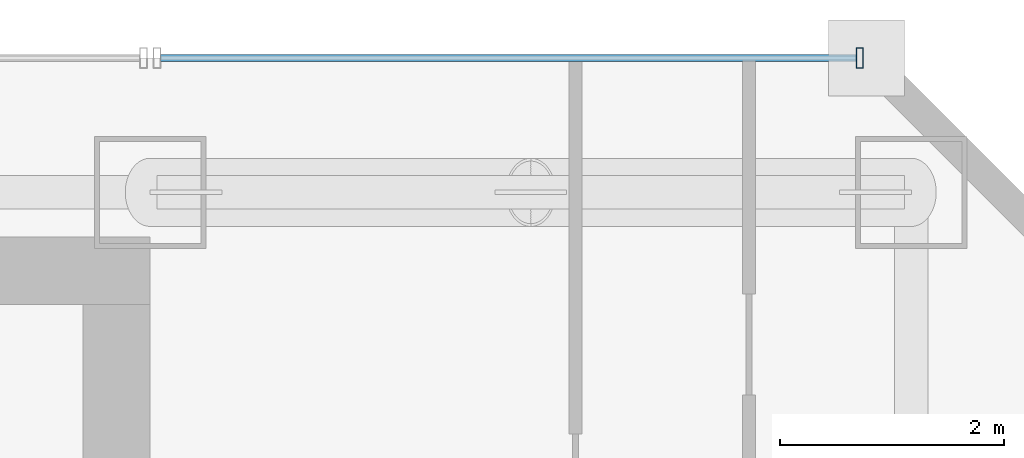
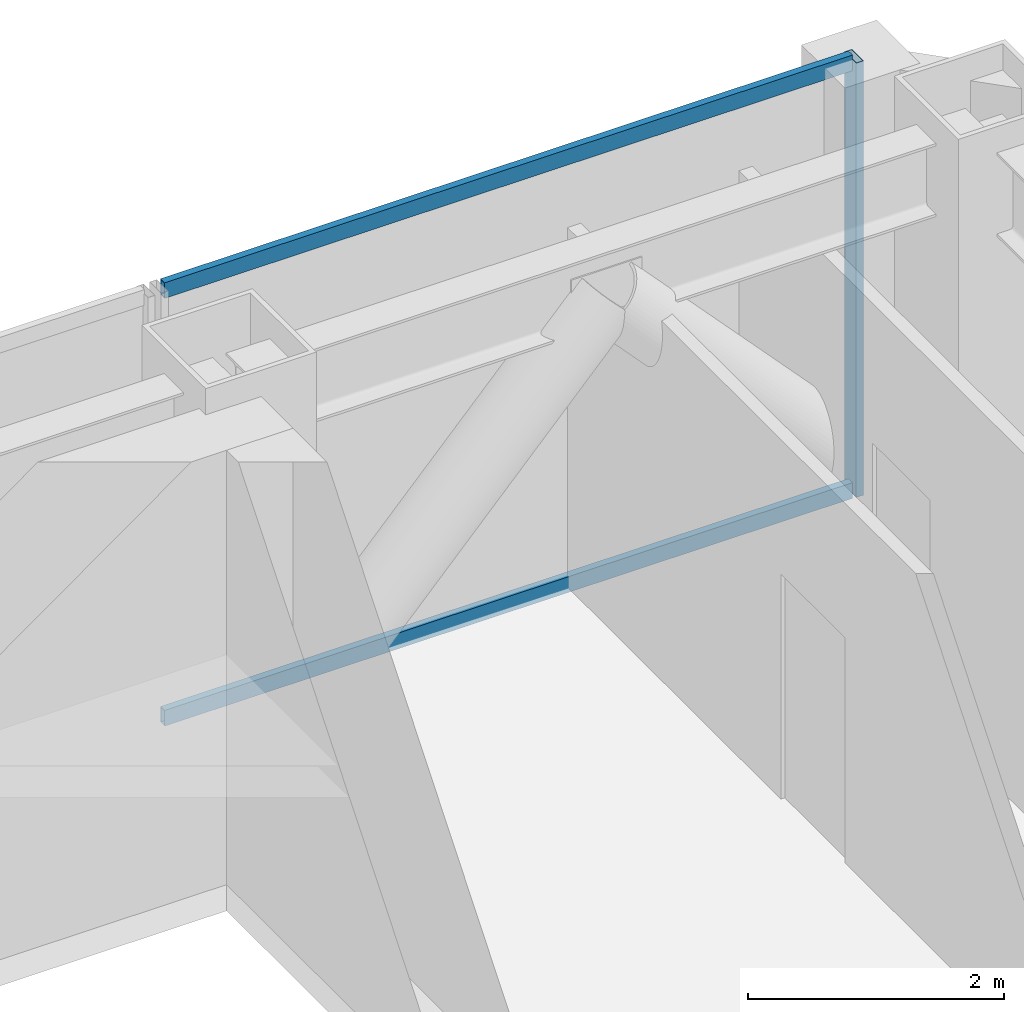
# One storey, part 29 of 37: 3 members, 1 element without a shape of its own.
"""IFC4 building model written with IfcOpenShell, lengths in metres."""

from ifc_helpers import new_model, si_unit, direction, frame, origin, origin_2d, place, context, subcontext, project, spatial, hollow_rectangle, extrude, material, material_profile, profile_set, type_object, element, aggregate, save


model = new_model("IFC4")

# Units and contexts
model_context = context("Model", 3, precision=1e-05, world=origin(), true_north=direction((0.0, 1.0)))
body_context = subcontext(model_context, "Body", "Model", "MODEL_VIEW")
ifc_project = project(units=[si_unit("LENGTHUNIT", "METRE"), si_unit("AREAUNIT", "SQUARE_METRE"), si_unit("VOLUMEUNIT", "CUBIC_METRE"), si_unit("PLANEANGLEUNIT", "RADIAN"), si_unit("MASSUNIT", "GRAM", prefix="KILO")], contexts=[model_context])

# Site, building, storey
site_placement = place(None, origin())
site = spatial("IfcSite", under=ifc_project, at=site_placement, CompositionType="ELEMENT")
building_placement = place(site_placement, origin())
building = spatial("IfcBuilding", under=site, at=building_placement, Name="Saevonmaru Cultural Tower", CompositionType="ELEMENT")
storey_placement = place(building_placement, frame((0.0, 0.0, 106.0)))
storey = spatial("IfcBuildingStorey", under=building, at=storey_placement, Name="L22", CompositionType="ELEMENT", Elevation=106.0)

# Curtain wall, members
ifc_material = material(Name="Satin Bronze Anodised Aluminium", Category="aluminium")
curtain_wall_type = type_object("IfcCurtainWallType", Name="CW-TYP-A", PredefinedType="NOTDEFINED", material=ifc_material)
curtain_wall_placement = place(storey_placement, origin())
curtain_wall = element("IfcCurtainWall", 1, at=curtain_wall_placement, inside=storey, type_object=curtain_wall_type, Name="L22 East Braced Bay Spandrel Curtain Wall E10A", PredefinedType="NOTDEFINED")
ifc_material_profile_1 = material_profile(ifc_material, hollow_rectangle(XDim=0.06494140625, YDim=0.179931640625, WallThickness=0.00390625, at=origin_2d()), Name="ALU-MULL-180x65x4")
ifc_profile_set_1 = profile_set([ifc_material_profile_1], Name="Satin Bronze Anodised Aluminium")
member_type_1 = type_object("IfcMemberType", Name="ML-CW-180x65", PredefinedType="MULLION", material=ifc_profile_set_1)
member_1_placement = place(storey_placement, frame((52.739990234375, 56.0, 0.0), z_axis=(0.0, 0.0, 1.0), x_axis=(-1.0, 0.0, 0.0)))
member_1 = element("IfcMember", 2, at=member_1_placement, type_object=member_type_1, Name="CW-TW-L22-E10A mullion 1", PredefinedType="MULLION", context=body_context, shape_type="SweptSolid", body=[
    extrude(hollow_rectangle(XDim=0.06494140625, YDim=0.179931640625, WallThickness=0.00390625, at=origin_2d()), origin(), (0.0, 0.0, 1.0), 4.14990234375),
])
ifc_material_profile_2 = material_profile(ifc_material, hollow_rectangle(XDim=0.06494140625, YDim=0.14990234375, WallThickness=0.00390625, at=origin_2d()), Name="ALU-TRAN-150x65x4")
ifc_profile_set_2 = profile_set([ifc_material_profile_2], Name="Satin Bronze Anodised Aluminium")
member_type_2 = type_object("IfcMemberType", Name="TR-CW-150x65", PredefinedType="USERDEFINED", material=ifc_profile_set_2)
member_2_placement = place(storey_placement, frame((52.70751953125, 56.0, 0.032470703125), z_axis=(-1.0, 0.0, 0.0), x_axis=(0.0, -1.0, 0.0)))
member_2 = element("IfcMember", 3, at=member_2_placement, type_object=member_type_2, Name="CW-TW-L22-E10A transom 1.1", ObjectType="TRANSOM", PredefinedType="USERDEFINED", context=body_context, shape_type="SweptSolid", body=[
    extrude(hollow_rectangle(XDim=0.06494140625, YDim=0.14990234375, WallThickness=0.00390625, at=origin_2d()), origin(), (0.0, 0.0, 1.0), 6.215087890625),
])
member_3_placement = place(storey_placement, frame((52.70751953125, 56.0, 4.117431640625), z_axis=(-1.0, 0.0, 0.0), x_axis=(0.0, -1.0, 0.0)))
member_3 = element("IfcMember", 4, at=member_3_placement, type_object=member_type_2, Name="CW-TW-L22-E10A transom 1.2", ObjectType="TRANSOM", PredefinedType="USERDEFINED", context=body_context, shape_type="SweptSolid", body=[
    extrude(hollow_rectangle(XDim=0.06494140625, YDim=0.14990234375, WallThickness=0.00390625, at=origin_2d()), origin(), (0.0, 0.0, 1.0), 6.215087890625),
])
aggregate(curtain_wall, [member_1, member_2, member_3])

save(model, "model.ifc")
